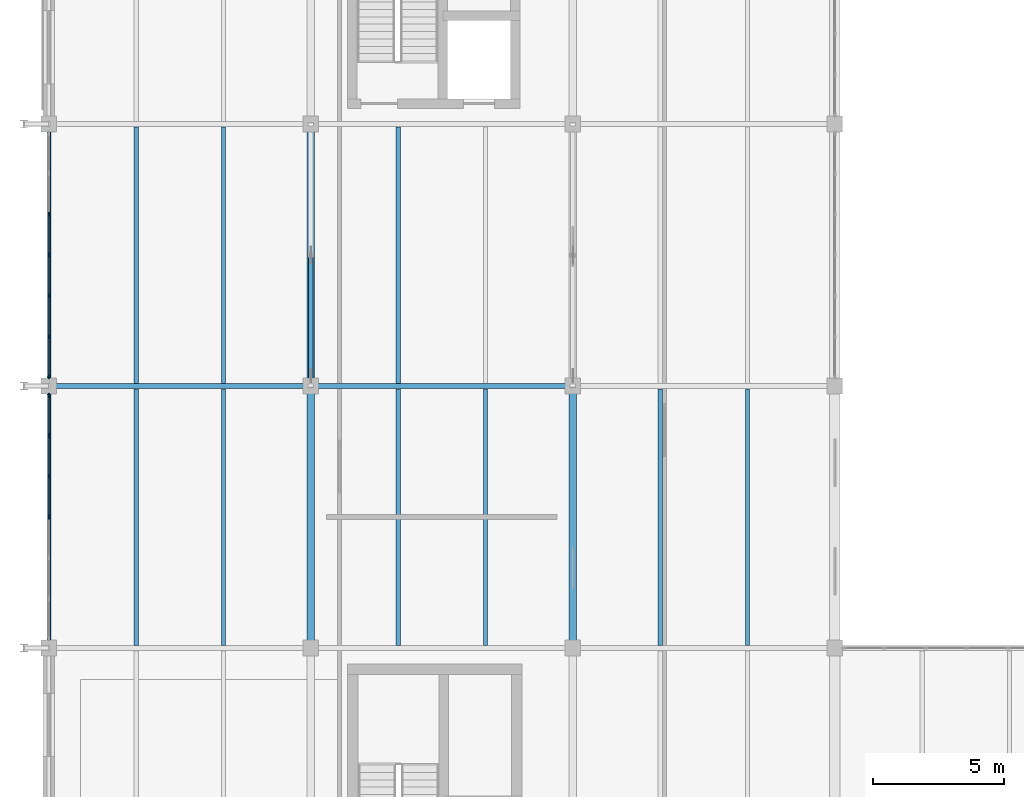
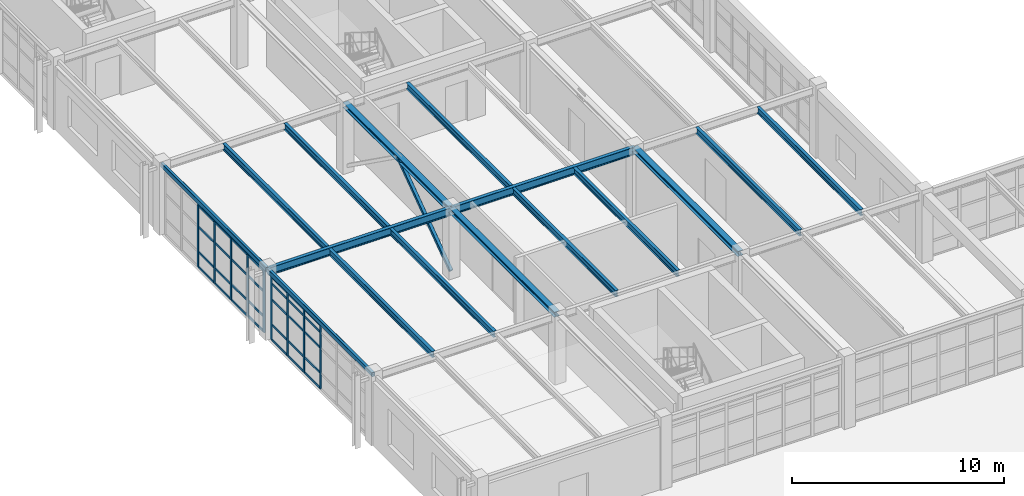
# One storey, part 26 of 122: 41 members, 16 beams, 2 elements without a shape of their own.
"""IFC4 building model written with IfcOpenShell, lengths in metres."""

from ifc_helpers import new_model, si_unit, direction, frame, origin, origin_2d, place, context, subcontext, project, spatial, rectangle, hollow_rectangle, i_section, extrude, material, layer, layer_set, material_profile, profile_set, type_object, element, aggregate, save


model = new_model("IFC4")

# Units and contexts
model_context = context("Model", 3, precision=1e-05, world=origin(), true_north=direction((0.0, 1.0)))
body_context = subcontext(model_context, "Body", "Model", "MODEL_VIEW")
ifc_project = project(units=[si_unit("LENGTHUNIT", "METRE"), si_unit("AREAUNIT", "SQUARE_METRE"), si_unit("VOLUMEUNIT", "CUBIC_METRE"), si_unit("PLANEANGLEUNIT", "RADIAN"), si_unit("MASSUNIT", "GRAM", prefix="KILO"), si_unit("THERMODYNAMICTEMPERATUREUNIT", "KELVIN"), si_unit("POWERUNIT", "WATT")], contexts=[model_context])

# Site, building, storey
site_placement = place(None, origin())
site = spatial("IfcSite", under=ifc_project, at=site_placement, CompositionType="ELEMENT")
building_placement = place(site_placement, origin())
building = spatial("IfcBuilding", under=site, at=building_placement, Name="Korenveer Ferry Terminal", CompositionType="ELEMENT")
storey_placement = place(building_placement, frame((0.0, 0.0, 10.199951171875)))
storey = spatial("IfcBuildingStorey", under=building, at=storey_placement, Name="L02", CompositionType="ELEMENT", Elevation=10.199951171875)

# Curtain wall, members
ifc_material_1 = material(Name="Unitised bronze-and-glass curtain wall", Category="glass")
ifc_layer_1 = layer(ifc_material_1, 0.159912109375)
ifc_layer_set_1 = layer_set([ifc_layer_1], Name="Unitised bronze-and-glass curtain wall")
curtain_wall_type_1 = type_object("IfcCurtainWallType", Name="ENV-CW-104", PredefinedType="USERDEFINED", material=ifc_layer_set_1)
curtain_wall_1_placement = place(storey_placement, frame((0.0, 30.330078125, 0.0)))
curtain_wall_1 = element("IfcCurtainWall", 1, at=curtain_wall_1_placement, inside=storey, type_object=curtain_wall_type_1, Name="Lancet curtain wall CWX-L02-X0-0-Y30-40", ObjectType="UNITISED CURTAIN WALL", PredefinedType="USERDEFINED")
ifc_material_2 = material(Name="Anodised bronze aluminium", Category="aluminium")
ifc_material_profile_1 = material_profile(ifc_material_2, rectangle(XDim=0.06005859375, YDim=0.159912109375, at=origin_2d()), Name="ALU 60x160")
ifc_profile_set_1 = profile_set([ifc_material_profile_1], Name="Anodised bronze aluminium")
member_type_1 = type_object("IfcMemberType", Name="ENV-CWM-60X160", PredefinedType="MULLION", material=ifc_profile_set_1)
member_1_placement = place(storey_placement, frame((0.0, 35.0, 0.0), z_axis=(0.0, 0.0, 1.0), x_axis=(-1.0, 0.0, 0.0)))
member_1 = element("IfcMember", 2, at=member_1_placement, type_object=member_type_1, Name="CW-104 mullion 4", PredefinedType="MULLION", context=body_context, shape_type="SweptSolid", body=[
    extrude(rectangle(XDim=0.06005859375, YDim=0.159912109375, at=origin_2d()), origin(), (0.0, 0.0, 1.0), 3.670166015625),
])
member_2_placement = place(storey_placement, frame((0.0, 36.556640625, 0.0), z_axis=(0.0, 0.0, 1.0), x_axis=(-1.0, 0.0, 0.0)))
member_2 = element("IfcMember", 3, at=member_2_placement, type_object=member_type_1, Name="CW-104 mullion 5", PredefinedType="MULLION", context=body_context, shape_type="SweptSolid", body=[
    extrude(rectangle(XDim=0.06005859375, YDim=0.159912109375, at=origin_2d()), origin(), (0.0, 0.0, 1.0), 3.670166015625),
])
member_3_placement = place(storey_placement, frame((0.0, 38.11328125, 0.0), z_axis=(0.0, 0.0, 1.0), x_axis=(-1.0, 0.0, 0.0)))
member_3 = element("IfcMember", 4, at=member_3_placement, type_object=member_type_1, Name="CW-104 mullion 6", PredefinedType="MULLION", context=body_context, shape_type="SweptSolid", body=[
    extrude(rectangle(XDim=0.06005859375, YDim=0.159912109375, at=origin_2d()), origin(), (0.0, 0.0, 1.0), 3.670166015625),
])
member_4_placement = place(storey_placement, frame((0.0, 39.639892578125, 0.0), z_axis=(0.0, 0.0, 1.0), x_axis=(-1.0, 0.0, 0.0)))
member_4 = element("IfcMember", 5, at=member_4_placement, type_object=member_type_1, Name="CW-104 mullion 7", PredefinedType="MULLION", context=body_context, shape_type="SweptSolid", body=[
    extrude(rectangle(XDim=0.06005859375, YDim=0.159912109375, at=origin_2d()), origin(), (0.0, 0.0, 1.0), 3.670166015625),
])

ifc_layer_2 = layer(ifc_material_1, 0.159912109375)
ifc_layer_set_2 = layer_set([ifc_layer_2], Name="Unitised bronze-and-glass curtain wall")
curtain_wall_type_2 = type_object("IfcCurtainWallType", Name="ENV-CW-105", PredefinedType="USERDEFINED", material=ifc_layer_set_2)
curtain_wall_2_placement = place(storey_placement, frame((0.0, 40.330078125, 0.0)))
curtain_wall_2 = element("IfcCurtainWall", 6, at=curtain_wall_2_placement, inside=storey, type_object=curtain_wall_type_2, Name="Lancet curtain wall CWX-L02-X0-0-Y40-50", ObjectType="UNITISED CURTAIN WALL", PredefinedType="USERDEFINED")
member_5_placement = place(storey_placement, frame((0.0, 40.360107421875, 0.0), z_axis=(0.0, 0.0, 1.0), x_axis=(-1.0, 0.0, 0.0)))
member_5 = element("IfcMember", 7, at=member_5_placement, type_object=member_type_1, Name="CW-105 mullion 1", PredefinedType="MULLION", context=body_context, shape_type="SweptSolid", body=[
    extrude(rectangle(XDim=0.06005859375, YDim=0.159912109375, at=origin_2d()), origin(), (0.0, 0.0, 1.0), 3.570068359375),
])
member_6_placement = place(storey_placement, frame((0.0, 41.88671875, 0.0), z_axis=(0.0, 0.0, 1.0), x_axis=(-1.0, 0.0, 0.0)))
member_6 = element("IfcMember", 8, at=member_6_placement, type_object=member_type_1, Name="CW-105 mullion 2", PredefinedType="MULLION", context=body_context, shape_type="SweptSolid", body=[
    extrude(rectangle(XDim=0.06005859375, YDim=0.159912109375, at=origin_2d()), origin(), (0.0, 0.0, 1.0), 3.570068359375),
])
member_7_placement = place(storey_placement, frame((0.0, 43.443359375, 0.0), z_axis=(0.0, 0.0, 1.0), x_axis=(-1.0, 0.0, 0.0)))
member_7 = element("IfcMember", 9, at=member_7_placement, type_object=member_type_1, Name="CW-105 mullion 3", PredefinedType="MULLION", context=body_context, shape_type="SweptSolid", body=[
    extrude(rectangle(XDim=0.06005859375, YDim=0.159912109375, at=origin_2d()), origin(), (0.0, 0.0, 1.0), 3.570068359375),
])
member_8_placement = place(storey_placement, frame((0.0, 45.0, 0.0), z_axis=(0.0, 0.0, 1.0), x_axis=(-1.0, 0.0, 0.0)))
member_8 = element("IfcMember", 10, at=member_8_placement, type_object=member_type_1, Name="CW-105 mullion 4", PredefinedType="MULLION", context=body_context, shape_type="SweptSolid", body=[
    extrude(rectangle(XDim=0.06005859375, YDim=0.159912109375, at=origin_2d()), origin(), (0.0, 0.0, 1.0), 3.570068359375),
])
member_9_placement = place(storey_placement, frame((0.0, 46.556640625, 0.0), z_axis=(0.0, 0.0, 1.0), x_axis=(-1.0, 0.0, 0.0)))
member_9 = element("IfcMember", 11, at=member_9_placement, type_object=member_type_1, Name="CW-105 mullion 5", PredefinedType="MULLION", context=body_context, shape_type="SweptSolid", body=[
    extrude(rectangle(XDim=0.06005859375, YDim=0.159912109375, at=origin_2d()), origin(), (0.0, 0.0, 1.0), 3.570068359375),
])

# Member
ifc_material_profile_2 = material_profile(ifc_material_2, rectangle(XDim=0.06005859375, YDim=0.1201171875, at=origin_2d()), Name="ALU 60x120")
ifc_profile_set_2 = profile_set([ifc_material_profile_2], Name="Anodised bronze aluminium")
member_type_2 = type_object("IfcMemberType", Name="ENV-CWT-60X120", PredefinedType="USERDEFINED", material=ifc_profile_set_2)
member_10_placement = place(storey_placement, frame((0.0, 35.030029296875, 0.030029296875), z_axis=(0.0, 1.0, 0.0), x_axis=(-1.0, 0.0, 0.0)))
member_10 = element("IfcMember", 12, at=member_10_placement, type_object=member_type_2, Name="CW-104 transom 4.1", ObjectType="TRANSOM", PredefinedType="USERDEFINED", context=body_context, shape_type="SweptSolid", body=[
    extrude(rectangle(XDim=0.06005859375, YDim=0.1201171875, at=origin_2d()), origin(), (0.0, 0.0, 1.0), 1.49658203125),
])

member_11_placement = place(storey_placement, frame((0.0, 35.030029296875, 0.900146484375), z_axis=(0.0, 1.0, 0.0), x_axis=(-1.0, 0.0, 0.0)))
member_11 = element("IfcMember", 13, at=member_11_placement, type_object=member_type_2, Name="CW-104 transom 4.2", ObjectType="TRANSOM", PredefinedType="USERDEFINED", context=body_context, shape_type="SweptSolid", body=[
    extrude(rectangle(XDim=0.06005859375, YDim=0.1201171875, at=origin_2d()), origin(), (0.0, 0.0, 1.0), 1.49658203125),
])

member_12_placement = place(storey_placement, frame((0.0, 35.030029296875, 2.35009765625), z_axis=(0.0, 1.0, 0.0), x_axis=(-1.0, 0.0, 0.0)))
member_12 = element("IfcMember", 14, at=member_12_placement, type_object=member_type_2, Name="CW-104 transom 4.3", ObjectType="TRANSOM", PredefinedType="USERDEFINED", context=body_context, shape_type="SweptSolid", body=[
    extrude(rectangle(XDim=0.06005859375, YDim=0.1201171875, at=origin_2d()), origin(), (0.0, 0.0, 1.0), 1.49658203125),
])

member_13_placement = place(storey_placement, frame((0.0, 35.030029296875, 3.25), z_axis=(0.0, 1.0, 0.0), x_axis=(-1.0, 0.0, 0.0)))
member_13 = element("IfcMember", 15, at=member_13_placement, type_object=member_type_2, Name="CW-104 transom 4.4", ObjectType="TRANSOM", PredefinedType="USERDEFINED", context=body_context, shape_type="SweptSolid", body=[
    extrude(rectangle(XDim=0.06005859375, YDim=0.1201171875, at=origin_2d()), origin(), (0.0, 0.0, 1.0), 1.49658203125),
])

member_14_placement = place(storey_placement, frame((0.0, 35.030029296875, 3.64013671875), z_axis=(0.0, 1.0, 0.0), x_axis=(-1.0, 0.0, 0.0)))
member_14 = element("IfcMember", 16, at=member_14_placement, type_object=member_type_2, Name="CW-104 transom 4.5", ObjectType="TRANSOM", PredefinedType="USERDEFINED", context=body_context, shape_type="SweptSolid", body=[
    extrude(rectangle(XDim=0.06005859375, YDim=0.1201171875, at=origin_2d()), origin(), (0.0, 0.0, 1.0), 1.49658203125),
])

member_15_placement = place(storey_placement, frame((0.0, 36.586669921875, 0.030029296875), z_axis=(0.0, 1.0, 0.0), x_axis=(-1.0, 0.0, 0.0)))
member_15 = element("IfcMember", 17, at=member_15_placement, type_object=member_type_2, Name="CW-104 transom 5.1", ObjectType="TRANSOM", PredefinedType="USERDEFINED", context=body_context, shape_type="SweptSolid", body=[
    extrude(rectangle(XDim=0.06005859375, YDim=0.1201171875, at=origin_2d()), origin(), (0.0, 0.0, 1.0), 1.49658203125),
])

member_16_placement = place(storey_placement, frame((0.0, 36.586669921875, 0.900146484375), z_axis=(0.0, 1.0, 0.0), x_axis=(-1.0, 0.0, 0.0)))
member_16 = element("IfcMember", 18, at=member_16_placement, type_object=member_type_2, Name="CW-104 transom 5.2", ObjectType="TRANSOM", PredefinedType="USERDEFINED", context=body_context, shape_type="SweptSolid", body=[
    extrude(rectangle(XDim=0.06005859375, YDim=0.1201171875, at=origin_2d()), origin(), (0.0, 0.0, 1.0), 1.49658203125),
])

member_17_placement = place(storey_placement, frame((0.0, 36.586669921875, 2.35009765625), z_axis=(0.0, 1.0, 0.0), x_axis=(-1.0, 0.0, 0.0)))
member_17 = element("IfcMember", 19, at=member_17_placement, type_object=member_type_2, Name="CW-104 transom 5.3", ObjectType="TRANSOM", PredefinedType="USERDEFINED", context=body_context, shape_type="SweptSolid", body=[
    extrude(rectangle(XDim=0.06005859375, YDim=0.1201171875, at=origin_2d()), origin(), (0.0, 0.0, 1.0), 1.49658203125),
])

member_18_placement = place(storey_placement, frame((0.0, 36.586669921875, 3.25), z_axis=(0.0, 1.0, 0.0), x_axis=(-1.0, 0.0, 0.0)))
member_18 = element("IfcMember", 20, at=member_18_placement, type_object=member_type_2, Name="CW-104 transom 5.4", ObjectType="TRANSOM", PredefinedType="USERDEFINED", context=body_context, shape_type="SweptSolid", body=[
    extrude(rectangle(XDim=0.06005859375, YDim=0.1201171875, at=origin_2d()), origin(), (0.0, 0.0, 1.0), 1.49658203125),
])

member_19_placement = place(storey_placement, frame((0.0, 36.586669921875, 3.64013671875), z_axis=(0.0, 1.0, 0.0), x_axis=(-1.0, 0.0, 0.0)))
member_19 = element("IfcMember", 21, at=member_19_placement, type_object=member_type_2, Name="CW-104 transom 5.5", ObjectType="TRANSOM", PredefinedType="USERDEFINED", context=body_context, shape_type="SweptSolid", body=[
    extrude(rectangle(XDim=0.06005859375, YDim=0.1201171875, at=origin_2d()), origin(), (0.0, 0.0, 1.0), 1.49658203125),
])

member_20_placement = place(storey_placement, frame((0.0, 38.143310546875, 0.030029296875), z_axis=(0.0, 1.0, 0.0), x_axis=(-1.0, 0.0, 0.0)))
member_20 = element("IfcMember", 22, at=member_20_placement, type_object=member_type_2, Name="CW-104 transom 6.1", ObjectType="TRANSOM", PredefinedType="USERDEFINED", context=body_context, shape_type="SweptSolid", body=[
    extrude(rectangle(XDim=0.06005859375, YDim=0.1201171875, at=origin_2d()), origin(), (0.0, 0.0, 1.0), 1.466796875),
])

member_21_placement = place(storey_placement, frame((0.0, 38.143310546875, 0.900146484375), z_axis=(0.0, 1.0, 0.0), x_axis=(-1.0, 0.0, 0.0)))
member_21 = element("IfcMember", 23, at=member_21_placement, type_object=member_type_2, Name="CW-104 transom 6.2", ObjectType="TRANSOM", PredefinedType="USERDEFINED", context=body_context, shape_type="SweptSolid", body=[
    extrude(rectangle(XDim=0.06005859375, YDim=0.1201171875, at=origin_2d()), origin(), (0.0, 0.0, 1.0), 1.466796875),
])

member_22_placement = place(storey_placement, frame((0.0, 38.143310546875, 2.35009765625), z_axis=(0.0, 1.0, 0.0), x_axis=(-1.0, 0.0, 0.0)))
member_22 = element("IfcMember", 24, at=member_22_placement, type_object=member_type_2, Name="CW-104 transom 6.3", ObjectType="TRANSOM", PredefinedType="USERDEFINED", context=body_context, shape_type="SweptSolid", body=[
    extrude(rectangle(XDim=0.06005859375, YDim=0.1201171875, at=origin_2d()), origin(), (0.0, 0.0, 1.0), 1.466796875),
])

member_23_placement = place(storey_placement, frame((0.0, 38.143310546875, 3.25), z_axis=(0.0, 1.0, 0.0), x_axis=(-1.0, 0.0, 0.0)))
member_23 = element("IfcMember", 25, at=member_23_placement, type_object=member_type_2, Name="CW-104 transom 6.4", ObjectType="TRANSOM", PredefinedType="USERDEFINED", context=body_context, shape_type="SweptSolid", body=[
    extrude(rectangle(XDim=0.06005859375, YDim=0.1201171875, at=origin_2d()), origin(), (0.0, 0.0, 1.0), 1.466796875),
])

member_24_placement = place(storey_placement, frame((0.0, 38.143310546875, 3.64013671875), z_axis=(0.0, 1.0, 0.0), x_axis=(-1.0, 0.0, 0.0)))
member_24 = element("IfcMember", 26, at=member_24_placement, type_object=member_type_2, Name="CW-104 transom 6.5", ObjectType="TRANSOM", PredefinedType="USERDEFINED", context=body_context, shape_type="SweptSolid", body=[
    extrude(rectangle(XDim=0.06005859375, YDim=0.1201171875, at=origin_2d()), origin(), (0.0, 0.0, 1.0), 1.466796875),
])

aggregate(curtain_wall_1, [member_1, member_2, member_3, member_4, member_10, member_11, member_12, member_13, member_14, member_15, member_16, member_17, member_18, member_19, member_20, member_21, member_22, member_23, member_24])

member_25_placement = place(storey_placement, frame((0.0, 40.389892578125, 0.030029296875), z_axis=(0.0, 1.0, 0.0), x_axis=(-1.0, 0.0, 0.0)))
member_25 = element("IfcMember", 27, at=member_25_placement, type_object=member_type_2, Name="CW-105 transom 1.1", ObjectType="TRANSOM", PredefinedType="USERDEFINED", context=body_context, shape_type="SweptSolid", body=[
    extrude(rectangle(XDim=0.06005859375, YDim=0.1201171875, at=origin_2d()), origin(), (0.0, 0.0, 1.0), 1.466796875),
])

member_26_placement = place(storey_placement, frame((0.0, 40.389892578125, 0.900146484375), z_axis=(0.0, 1.0, 0.0), x_axis=(-1.0, 0.0, 0.0)))
member_26 = element("IfcMember", 28, at=member_26_placement, type_object=member_type_2, Name="CW-105 transom 1.2", ObjectType="TRANSOM", PredefinedType="USERDEFINED", context=body_context, shape_type="SweptSolid", body=[
    extrude(rectangle(XDim=0.06005859375, YDim=0.1201171875, at=origin_2d()), origin(), (0.0, 0.0, 1.0), 1.466796875),
])

member_27_placement = place(storey_placement, frame((0.0, 40.389892578125, 2.35009765625), z_axis=(0.0, 1.0, 0.0), x_axis=(-1.0, 0.0, 0.0)))
member_27 = element("IfcMember", 29, at=member_27_placement, type_object=member_type_2, Name="CW-105 transom 1.3", ObjectType="TRANSOM", PredefinedType="USERDEFINED", context=body_context, shape_type="SweptSolid", body=[
    extrude(rectangle(XDim=0.06005859375, YDim=0.1201171875, at=origin_2d()), origin(), (0.0, 0.0, 1.0), 1.466796875),
])

member_28_placement = place(storey_placement, frame((0.0, 40.389892578125, 3.5400390625), z_axis=(0.0, 1.0, 0.0), x_axis=(-1.0, 0.0, 0.0)))
member_28 = element("IfcMember", 30, at=member_28_placement, type_object=member_type_2, Name="CW-105 transom 1.4", ObjectType="TRANSOM", PredefinedType="USERDEFINED", context=body_context, shape_type="SweptSolid", body=[
    extrude(rectangle(XDim=0.06005859375, YDim=0.1201171875, at=origin_2d()), origin(), (0.0, 0.0, 1.0), 1.466796875),
])

member_29_placement = place(storey_placement, frame((0.0, 41.916748046875, 0.030029296875), z_axis=(0.0, 1.0, 0.0), x_axis=(-1.0, 0.0, 0.0)))
member_29 = element("IfcMember", 31, at=member_29_placement, type_object=member_type_2, Name="CW-105 transom 2.1", ObjectType="TRANSOM", PredefinedType="USERDEFINED", context=body_context, shape_type="SweptSolid", body=[
    extrude(rectangle(XDim=0.06005859375, YDim=0.1201171875, at=origin_2d()), origin(), (0.0, 0.0, 1.0), 1.49658203125),
])

member_30_placement = place(storey_placement, frame((0.0, 41.916748046875, 0.900146484375), z_axis=(0.0, 1.0, 0.0), x_axis=(-1.0, 0.0, 0.0)))
member_30 = element("IfcMember", 32, at=member_30_placement, type_object=member_type_2, Name="CW-105 transom 2.2", ObjectType="TRANSOM", PredefinedType="USERDEFINED", context=body_context, shape_type="SweptSolid", body=[
    extrude(rectangle(XDim=0.06005859375, YDim=0.1201171875, at=origin_2d()), origin(), (0.0, 0.0, 1.0), 1.49658203125),
])

member_31_placement = place(storey_placement, frame((0.0, 41.916748046875, 2.35009765625), z_axis=(0.0, 1.0, 0.0), x_axis=(-1.0, 0.0, 0.0)))
member_31 = element("IfcMember", 33, at=member_31_placement, type_object=member_type_2, Name="CW-105 transom 2.3", ObjectType="TRANSOM", PredefinedType="USERDEFINED", context=body_context, shape_type="SweptSolid", body=[
    extrude(rectangle(XDim=0.06005859375, YDim=0.1201171875, at=origin_2d()), origin(), (0.0, 0.0, 1.0), 1.49658203125),
])

member_32_placement = place(storey_placement, frame((0.0, 41.916748046875, 3.5400390625), z_axis=(0.0, 1.0, 0.0), x_axis=(-1.0, 0.0, 0.0)))
member_32 = element("IfcMember", 34, at=member_32_placement, type_object=member_type_2, Name="CW-105 transom 2.4", ObjectType="TRANSOM", PredefinedType="USERDEFINED", context=body_context, shape_type="SweptSolid", body=[
    extrude(rectangle(XDim=0.06005859375, YDim=0.1201171875, at=origin_2d()), origin(), (0.0, 0.0, 1.0), 1.49658203125),
])

member_33_placement = place(storey_placement, frame((0.0, 43.473388671875, 0.030029296875), z_axis=(0.0, 1.0, 0.0), x_axis=(-1.0, 0.0, 0.0)))
member_33 = element("IfcMember", 35, at=member_33_placement, type_object=member_type_2, Name="CW-105 transom 3.1", ObjectType="TRANSOM", PredefinedType="USERDEFINED", context=body_context, shape_type="SweptSolid", body=[
    extrude(rectangle(XDim=0.06005859375, YDim=0.1201171875, at=origin_2d()), origin(), (0.0, 0.0, 1.0), 1.49658203125),
])

member_34_placement = place(storey_placement, frame((0.0, 43.473388671875, 0.900146484375), z_axis=(0.0, 1.0, 0.0), x_axis=(-1.0, 0.0, 0.0)))
member_34 = element("IfcMember", 36, at=member_34_placement, type_object=member_type_2, Name="CW-105 transom 3.2", ObjectType="TRANSOM", PredefinedType="USERDEFINED", context=body_context, shape_type="SweptSolid", body=[
    extrude(rectangle(XDim=0.06005859375, YDim=0.1201171875, at=origin_2d()), origin(), (0.0, 0.0, 1.0), 1.49658203125),
])

member_35_placement = place(storey_placement, frame((0.0, 43.473388671875, 2.35009765625), z_axis=(0.0, 1.0, 0.0), x_axis=(-1.0, 0.0, 0.0)))
member_35 = element("IfcMember", 37, at=member_35_placement, type_object=member_type_2, Name="CW-105 transom 3.3", ObjectType="TRANSOM", PredefinedType="USERDEFINED", context=body_context, shape_type="SweptSolid", body=[
    extrude(rectangle(XDim=0.06005859375, YDim=0.1201171875, at=origin_2d()), origin(), (0.0, 0.0, 1.0), 1.49658203125),
])

member_36_placement = place(storey_placement, frame((0.0, 43.473388671875, 3.5400390625), z_axis=(0.0, 1.0, 0.0), x_axis=(-1.0, 0.0, 0.0)))
member_36 = element("IfcMember", 38, at=member_36_placement, type_object=member_type_2, Name="CW-105 transom 3.4", ObjectType="TRANSOM", PredefinedType="USERDEFINED", context=body_context, shape_type="SweptSolid", body=[
    extrude(rectangle(XDim=0.06005859375, YDim=0.1201171875, at=origin_2d()), origin(), (0.0, 0.0, 1.0), 1.49658203125),
])

member_37_placement = place(storey_placement, frame((0.0, 45.030029296875, 0.030029296875), z_axis=(0.0, 1.0, 0.0), x_axis=(-1.0, 0.0, 0.0)))
member_37 = element("IfcMember", 39, at=member_37_placement, type_object=member_type_2, Name="CW-105 transom 4.1", ObjectType="TRANSOM", PredefinedType="USERDEFINED", context=body_context, shape_type="SweptSolid", body=[
    extrude(rectangle(XDim=0.06005859375, YDim=0.1201171875, at=origin_2d()), origin(), (0.0, 0.0, 1.0), 1.49658203125),
])

member_38_placement = place(storey_placement, frame((0.0, 45.030029296875, 0.900146484375), z_axis=(0.0, 1.0, 0.0), x_axis=(-1.0, 0.0, 0.0)))
member_38 = element("IfcMember", 40, at=member_38_placement, type_object=member_type_2, Name="CW-105 transom 4.2", ObjectType="TRANSOM", PredefinedType="USERDEFINED", context=body_context, shape_type="SweptSolid", body=[
    extrude(rectangle(XDim=0.06005859375, YDim=0.1201171875, at=origin_2d()), origin(), (0.0, 0.0, 1.0), 1.49658203125),
])

member_39_placement = place(storey_placement, frame((0.0, 45.030029296875, 2.35009765625), z_axis=(0.0, 1.0, 0.0), x_axis=(-1.0, 0.0, 0.0)))
member_39 = element("IfcMember", 41, at=member_39_placement, type_object=member_type_2, Name="CW-105 transom 4.3", ObjectType="TRANSOM", PredefinedType="USERDEFINED", context=body_context, shape_type="SweptSolid", body=[
    extrude(rectangle(XDim=0.06005859375, YDim=0.1201171875, at=origin_2d()), origin(), (0.0, 0.0, 1.0), 1.49658203125),
])

member_40_placement = place(storey_placement, frame((0.0, 45.030029296875, 3.5400390625), z_axis=(0.0, 1.0, 0.0), x_axis=(-1.0, 0.0, 0.0)))
member_40 = element("IfcMember", 42, at=member_40_placement, type_object=member_type_2, Name="CW-105 transom 4.4", ObjectType="TRANSOM", PredefinedType="USERDEFINED", context=body_context, shape_type="SweptSolid", body=[
    extrude(rectangle(XDim=0.06005859375, YDim=0.1201171875, at=origin_2d()), origin(), (0.0, 0.0, 1.0), 1.49658203125),
])

aggregate(curtain_wall_2, [member_5, member_6, member_7, member_8, member_9, member_25, member_26, member_27, member_28, member_29, member_30, member_31, member_32, member_33, member_34, member_35, member_36, member_37, member_38, member_39, member_40])

# Beams
ifc_material_3 = material(Name="Steel S355", Category="steel")
ifc_material_profile_3 = material_profile(ifc_material_3, i_section(OverallWidth=0.300048828125, OverallDepth=0.2900390625, WebThickness=0.008544921875, FlangeThickness=0.013916015625, FilletRadius=0.027099609375, at=origin_2d()), Name="HEA 300")
ifc_profile_set_3 = profile_set([ifc_material_profile_3], Name="Steel S355")
beam_type_1 = type_object("IfcBeamType", Name="STR-BM-HEA300", PredefinedType="BEAM", material=ifc_profile_set_3)
for number, where, z_axis, x_axis, name in (
    (43, (10.0, 30.02001953125, 3.804931640625), (0.0, 1.0, 0.0), (-1.0, 0.0, 0.0), "Primary Y girder BMY-L03-X10-Y30-40"),
    (44, (10.0, 40.02001953125, 3.804931640625), (0.0, 1.0, 0.0), (-1.0, 0.0, 0.0), "Primary Y girder BMY-L03-X10-Y40-50"),
    (45, (20.0, 30.02001953125, 3.804931640625), (0.0, 1.0, 0.0), (-1.0, 0.0, 0.0), "Primary Y girder BMY-L03-X20-Y30-40"),
):
    element("IfcBeam", number, at=place(storey_placement, frame(where, z_axis=z_axis, x_axis=x_axis)), inside=storey, type_object=beam_type_1, Name=name, PredefinedType="BEAM", context=body_context, shape_type="SweptSolid", body=[
        extrude(i_section(OverallWidth=0.300048828125, OverallDepth=0.2900390625, WebThickness=0.008544921875, FlangeThickness=0.013916015625, FilletRadius=0.027099609375, at=origin_2d()), origin(), (0.0, 0.0, 1.0), 9.9599609375),
    ])
ifc_material_profile_4 = material_profile(ifc_material_3, i_section(OverallWidth=0.18994140625, OverallDepth=0.449951171875, WebThickness=0.009521484375, FlangeThickness=0.0146484375, FilletRadius=0.02099609375, at=origin_2d()), Name="IPE 450")
ifc_profile_set_4 = profile_set([ifc_material_profile_4], Name="Steel S355")
beam_type_2 = type_object("IfcBeamType", Name="STR-BM-IPE450", PredefinedType="BEAM", material=ifc_profile_set_4)
for number, where, z_axis, x_axis, name in (
    (46, (0.02001953125, 40.0, 3.72509765625), (1.0, 0.0, 0.0), (0.0, 1.0, 0.0), "Primary X girder BMX-L03-X0-10-Y40"),
    (47, (10.02001953125, 40.0, 3.72509765625), (1.0, 0.0, 0.0), (0.0, 1.0, 0.0), "Primary X girder BMX-L03-X10-20-Y40"),
):
    element("IfcBeam", number, at=place(storey_placement, frame(where, z_axis=z_axis, x_axis=x_axis)), inside=storey, type_object=beam_type_2, Name=name, PredefinedType="BEAM", context=body_context, shape_type="SweptSolid", body=[
        extrude(i_section(OverallWidth=0.18994140625, OverallDepth=0.449951171875, WebThickness=0.009521484375, FlangeThickness=0.0146484375, FilletRadius=0.02099609375, at=origin_2d()), origin(), (0.0, 0.0, 1.0), 9.9599609375),
    ])

# Member
ifc_material_profile_5 = material_profile(ifc_material_3, hollow_rectangle(XDim=0.179931640625, YDim=0.179931640625, WallThickness=0.010009765625, InnerFilletRadius=0.010009765625, OuterFilletRadius=0.014892578125, at=origin_2d()), Name="SHS 180x180x10")
ifc_profile_set_5 = profile_set([ifc_material_profile_5], Name="Steel S355")
member_type_3 = type_object("IfcMemberType", Name="STR-BRC-SHS180", PredefinedType="BRACE", material=ifc_profile_set_5)
member_41_placement = place(storey_placement, frame((10.0, 40.02001953125, 0.239990234375), z_axis=(0.0, 0.813507053868, 0.581555047529), x_axis=(-1.0, 0.0, 0.0)))
element("IfcMember", 48, at=member_41_placement, inside=storey, type_object=member_type_3, Name="Lateral stability chevron brace BRCVF-L02-X10-400", PredefinedType="BRACE", context=body_context, shape_type="SweptSolid", body=[
    extrude(hollow_rectangle(XDim=0.179931640625, YDim=0.179931640625, WallThickness=0.010009765625, InnerFilletRadius=0.010009765625, OuterFilletRadius=0.014892578125, at=origin_2d()), origin(), (0.0, 0.0, 1.0), 6.12158203125),
])

# Beams
ifc_material_profile_6 = material_profile(ifc_material_3, i_section(OverallWidth=0.169921875, OverallDepth=0.360107421875, WebThickness=0.008056640625, FlangeThickness=0.0126953125, FilletRadius=0.01806640625, at=origin_2d()), Name="IPE 360")
ifc_profile_set_6 = profile_set([ifc_material_profile_6], Name="Steel S355")
beam_type_3 = type_object("IfcBeamType", Name="STR-JST-IPE360", PredefinedType="JOIST", material=ifc_profile_set_6)
for number, where, z_axis, x_axis, name in (
    (49, (3.333251953125, 30.10498046875, 3.77001953125), (0.0, 1.0, 0.0), (-1.0, 0.0, 0.0), "Secondary composite joist JST-L03-X33-Y30-40"),
    (50, (6.666748046875, 30.10498046875, 3.77001953125), (0.0, 1.0, 0.0), (-1.0, 0.0, 0.0), "Secondary composite joist JST-L03-X67-Y30-40"),
    (51, (3.333251953125, 40.10498046875, 3.77001953125), (0.0, 1.0, 0.0), (-1.0, 0.0, 0.0), "Secondary composite joist JST-L03-X33-Y40-50"),
    (52, (6.666748046875, 40.10498046875, 3.77001953125), (0.0, 1.0, 0.0), (-1.0, 0.0, 0.0), "Secondary composite joist JST-L03-X67-Y40-50"),
    (53, (13.333251953125, 30.10498046875, 3.77001953125), (0.0, 1.0, 0.0), (-1.0, 0.0, 0.0), "Secondary composite joist JST-L03-X133-Y30-40"),
    (54, (16.666748046875, 30.10498046875, 3.77001953125), (0.0, 1.0, 0.0), (-1.0, 0.0, 0.0), "Secondary composite joist JST-L03-X167-Y30-40"),
    (55, (13.333251953125, 40.10498046875, 3.77001953125), (0.0, 1.0, 0.0), (-1.0, 0.0, 0.0), "Secondary composite joist JST-L03-X133-Y40-50"),
    (56, (23.333251953125, 30.10498046875, 3.77001953125), (0.0, 1.0, 0.0), (-1.0, 0.0, 0.0), "Secondary composite joist JST-L03-X233-Y30-40"),
    (57, (26.666748046875, 30.10498046875, 3.77001953125), (0.0, 1.0, 0.0), (-1.0, 0.0, 0.0), "Secondary composite joist JST-L03-X267-Y30-40"),
):
    element("IfcBeam", number, at=place(storey_placement, frame(where, z_axis=z_axis, x_axis=x_axis)), inside=storey, type_object=beam_type_3, Name=name, PredefinedType="JOIST", context=body_context, shape_type="SweptSolid", body=[
        extrude(i_section(OverallWidth=0.169921875, OverallDepth=0.360107421875, WebThickness=0.008056640625, FlangeThickness=0.0126953125, FilletRadius=0.01806640625, at=origin_2d()), origin(), (0.0, 0.0, 1.0), 9.7900390625),
    ])
ifc_material_profile_7 = material_profile(ifc_material_3, hollow_rectangle(XDim=0.14990234375, YDim=0.25, WallThickness=0.010009765625, InnerFilletRadius=0.010009765625, OuterFilletRadius=0.014892578125, at=origin_2d()), Name="RHS 250x150x10")
ifc_profile_set_7 = profile_set([ifc_material_profile_7], Name="Steel S355")
beam_type_4 = type_object("IfcBeamType", Name="STR-SPD-RHS250", PredefinedType="SPANDREL", material=ifc_profile_set_7)
for number, where, z_axis, x_axis, name in (
    (58, (0.0, 30.02001953125, 3.824951171875), (0.0, 1.0, 0.0), (-1.0, 0.0, 0.0), "Primary Y girder BMY-L03-X0-Y30-40"),
    (59, (0.0, 40.02001953125, 3.824951171875), (0.0, 1.0, 0.0), (-1.0, 0.0, 0.0), "Primary Y girder BMY-L03-X0-Y40-50"),
):
    element("IfcBeam", number, at=place(storey_placement, frame(where, z_axis=z_axis, x_axis=x_axis)), inside=storey, type_object=beam_type_4, Name=name, PredefinedType="SPANDREL", context=body_context, shape_type="SweptSolid", body=[
        extrude(hollow_rectangle(XDim=0.14990234375, YDim=0.25, WallThickness=0.010009765625, InnerFilletRadius=0.010009765625, OuterFilletRadius=0.014892578125, at=origin_2d()), origin(), (0.0, 0.0, 1.0), 9.9599609375),
    ])

save(model, "model.ifc")
